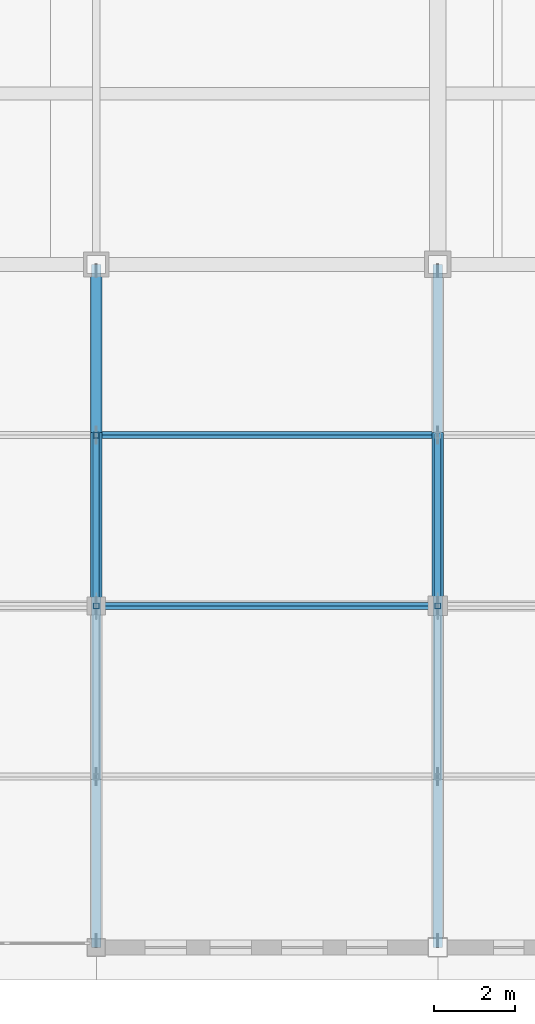
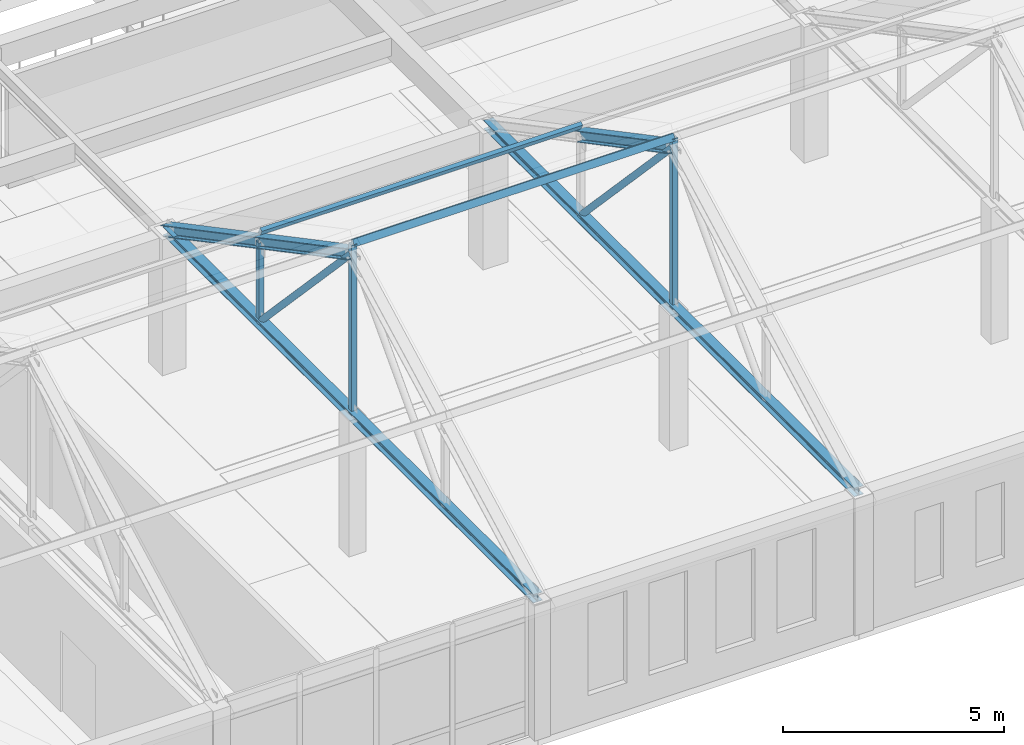
# One storey, part 9 of 47: 12 members.
"""IFC4 building model written with IfcOpenShell, lengths in metres."""

from ifc_helpers import new_model, si_unit, direction, frame, origin, origin_2d, place, context, subcontext, project, spatial, hollow_rectangle, hollow_circle, i_section, extrude, material, material_profile, profile_set, type_object, element, save


model = new_model("IFC4")

# Units and contexts
model_context = context("Model", 3, precision=1e-05, world=origin(), true_north=direction((0.0, 1.0)))
body_context = subcontext(model_context, "Body", "Model", "MODEL_VIEW")
ifc_project = project(units=[si_unit("LENGTHUNIT", "METRE"), si_unit("AREAUNIT", "SQUARE_METRE"), si_unit("VOLUMEUNIT", "CUBIC_METRE"), si_unit("PLANEANGLEUNIT", "RADIAN"), si_unit("MASSUNIT", "GRAM", prefix="KILO")], contexts=[model_context])

# Site, building, storey
site_placement = place(None, origin())
site = spatial("IfcSite", under=ifc_project, at=site_placement, CompositionType="ELEMENT")
building_placement = place(site_placement, origin())
building = spatial("IfcBuilding", under=site, at=building_placement, Name="Kveldsbrygga Polytechnic", CompositionType="ELEMENT")
storey_placement = place(building_placement, frame((0.0, 0.0, 13.93994140625)))
storey = spatial("IfcBuildingStorey", under=building, at=storey_placement, Name="L03", CompositionType="ELEMENT", Elevation=13.93994140625)

# Members
ifc_material = material(Name="Steel S355", Category="steel")
ifc_material_profile_1 = material_profile(ifc_material, hollow_circle(Radius=0.084228515625, WallThickness=0.010009765625, at=origin_2d()), Name="CHS 168.3x10.0")
ifc_profile_set_1 = profile_set([ifc_material_profile_1], Name="Steel S355")
member_type_1 = type_object("IfcMemberType", Name="BR-WIND-CHS168", PredefinedType="BRACE", material=ifc_profile_set_1)
for number, where, z_axis, x_axis, name in (
    (1, (142.800048828125, 8.39990234375, 8.22998046875), (0.0, 0.68640442101, -0.727220029165), (-1.0, 0.0, 0.0), "Truss Diagonal V4S4-T03-DG-3"),
    (2, (151.199951171875, 8.39990234375, 8.22998046875), (0.0, 0.68640442101, -0.727220029165), (-1.0, 0.0, 0.0), "Truss Diagonal V4S4-T04-DG-3"),
):
    element("IfcMember", number, at=place(storey_placement, frame(where, z_axis=z_axis, x_axis=x_axis)), inside=storey, type_object=member_type_1, Name=name, PredefinedType="BRACE", context=body_context, shape_type="SweptSolid", body=[
        extrude(hollow_circle(Radius=0.084228515625, WallThickness=0.010009765625, at=origin_2d()), origin(), (0.0, 0.0, 1.0), 6.119140625),
    ])
ifc_material_profile_2 = material_profile(ifc_material, hollow_rectangle(XDim=0.10009765625, YDim=0.179931640625, WallThickness=0.008056640625, at=origin_2d()), Name="RHS 180x100x8.0")
ifc_profile_set_2 = profile_set([ifc_material_profile_2], Name="Steel S355")
member_type_2 = type_object("IfcMemberType", Name="PRL-RHS180", PredefinedType="PURLIN", material=ifc_profile_set_2)
for number, where, z_axis, x_axis, name in (
    (3, (142.800048828125, 8.39990234375, 8.490234375), (1.0, 0.0, 0.0), (0.0, 0.883660254474, -0.468128779998), "Roof Purlin V4S4-PRL-3-2"),
    (4, (142.800048828125, 12.60009765625, 6.265380859375), (1.0, 0.0, 0.0), (0.0, 0.883660254474, 0.468128779998), "Roof Purlin V4S4-PRL-3-3"),
):
    element("IfcMember", number, at=place(storey_placement, frame(where, z_axis=z_axis, x_axis=x_axis)), inside=storey, type_object=member_type_2, Name=name, PredefinedType="PURLIN", context=body_context, shape_type="SweptSolid", body=[
        extrude(hollow_rectangle(XDim=0.10009765625, YDim=0.179931640625, WallThickness=0.008056640625, at=origin_2d()), origin(), (0.0, 0.0, 1.0), 8.39990234375),
    ])
ifc_material_profile_3 = material_profile(ifc_material, i_section(OverallWidth=0.239990234375, OverallDepth=0.239990234375, WebThickness=0.010009765625, FlangeThickness=0.01708984375, FilletRadius=0.02099609375, at=origin_2d()), Name="HEB 240")
ifc_profile_set_3 = profile_set([ifc_material_profile_3], Name="Steel S355")
member_type_3 = type_object("IfcMemberType", Name="TR-BOT-HEB240", PredefinedType="CHORD", material=ifc_profile_set_3)
for number, where, z_axis, x_axis, name in (
    (5, (142.800048828125, 0.0, 3.780029296875), (0.0, 1.0, 0.0), (-1.0, 0.0, 0.0), "Truss Bottom Chord V4S4-T03-BC-1"),
    (6, (151.199951171875, 0.0, 3.780029296875), (0.0, 1.0, 0.0), (-1.0, 0.0, 0.0), "Truss Bottom Chord V4S4-T04-BC-1"),
):
    element("IfcMember", number, at=place(storey_placement, frame(where, z_axis=z_axis, x_axis=x_axis)), inside=storey, type_object=member_type_3, Name=name, PredefinedType="CHORD", context=body_context, shape_type="SweptSolid", body=[
        extrude(i_section(OverallWidth=0.239990234375, OverallDepth=0.239990234375, WebThickness=0.010009765625, FlangeThickness=0.01708984375, FilletRadius=0.02099609375, at=origin_2d()), origin(), (0.0, 0.0, 1.0), 16.800048828125),
    ])
ifc_material_profile_4 = material_profile(ifc_material, hollow_rectangle(XDim=0.139892578125, YDim=0.139892578125, WallThickness=0.008056640625, at=origin_2d()), Name="SHS 140x140x8.0")
ifc_profile_set_4 = profile_set([ifc_material_profile_4], Name="Steel S355")
member_type_4 = type_object("IfcMemberType", Name="TR-POST-SHS140", PredefinedType="STRUT", material=ifc_profile_set_4)
member_1_placement = place(storey_placement, frame((142.800048828125, 8.39990234375, 3.780029296875), z_axis=(0.0, 0.0, 1.0), x_axis=(1.0, 0.0, 0.0)))
element("IfcMember", 7, at=member_1_placement, inside=storey, type_object=member_type_4, Name="Truss Vertical V4S4-T03-VT-2", PredefinedType="STRUT", context=body_context, shape_type="SweptSolid", body=[
    extrude(hollow_rectangle(XDim=0.139892578125, YDim=0.139892578125, WallThickness=0.008056640625, at=origin_2d()), origin(), (0.0, 0.0, 1.0), 4.710205078125),
])
member_2_placement = place(storey_placement, frame((142.800048828125, 12.60009765625, 3.780029296875), z_axis=(0.0, 0.0, 1.0), x_axis=(1.0, 0.0, 0.0)))
element("IfcMember", 8, at=member_2_placement, inside=storey, type_object=member_type_4, Name="Truss Vertical V4S4-T03-VT-3", PredefinedType="STRUT", context=body_context, shape_type="SweptSolid", body=[
    extrude(hollow_rectangle(XDim=0.139892578125, YDim=0.139892578125, WallThickness=0.008056640625, at=origin_2d()), origin(), (0.0, 0.0, 1.0), 2.22509765625),
])
member_3_placement = place(storey_placement, frame((151.199951171875, 8.39990234375, 3.780029296875), z_axis=(0.0, 0.0, 1.0), x_axis=(1.0, 0.0, 0.0)))
element("IfcMember", 9, at=member_3_placement, inside=storey, type_object=member_type_4, Name="Truss Vertical V4S4-T04-VT-2", PredefinedType="STRUT", context=body_context, shape_type="SweptSolid", body=[
    extrude(hollow_rectangle(XDim=0.139892578125, YDim=0.139892578125, WallThickness=0.008056640625, at=origin_2d()), origin(), (0.0, 0.0, 1.0), 4.710205078125),
])
ifc_material_profile_5 = material_profile(ifc_material, i_section(OverallWidth=0.280029296875, OverallDepth=0.280029296875, WebThickness=0.010498046875, FlangeThickness=0.01806640625, FilletRadius=0.02392578125, at=origin_2d()), Name="HEB 280")
ifc_profile_set_5 = profile_set([ifc_material_profile_5], Name="Steel S355")
member_type_5 = type_object("IfcMemberType", Name="TR-TOP-HEB280", PredefinedType="CHORD", material=ifc_profile_set_5)
member_4_placement = place(storey_placement, frame((142.800048828125, 8.39990234375, 8.22998046875), z_axis=(0.0, 0.883681693185, -0.468088309114), x_axis=(-1.0, 0.0, 0.0)))
element("IfcMember", 10, at=member_4_placement, inside=storey, type_object=member_type_5, Name="Truss Top Chord V4S4-T03-TC-3", PredefinedType="CHORD", context=body_context, shape_type="SweptSolid", body=[
    extrude(i_section(OverallWidth=0.280029296875, OverallDepth=0.280029296875, WebThickness=0.010498046875, FlangeThickness=0.01806640625, FilletRadius=0.02392578125, at=origin_2d()), origin(), (0.0, 0.0, 1.0), 4.753173828125),
])
member_5_placement = place(storey_placement, frame((142.800048828125, 12.60009765625, 6.005126953125), z_axis=(0.0, 0.883649189339, -0.468149666432), x_axis=(-1.0, 0.0, 0.0)))
element("IfcMember", 11, at=member_5_placement, inside=storey, type_object=member_type_5, Name="Truss Top Chord V4S4-T03-TC-4", PredefinedType="CHORD", context=body_context, shape_type="SweptSolid", body=[
    extrude(i_section(OverallWidth=0.280029296875, OverallDepth=0.280029296875, WebThickness=0.010498046875, FlangeThickness=0.01806640625, FilletRadius=0.02392578125, at=origin_2d()), origin(), (0.0, 0.0, 1.0), 4.7529296875),
])
member_6_placement = place(storey_placement, frame((151.199951171875, 8.39990234375, 8.22998046875), z_axis=(0.0, 0.883681693185, -0.468088309114), x_axis=(-1.0, 0.0, 0.0)))
element("IfcMember", 12, at=member_6_placement, inside=storey, type_object=member_type_5, Name="Truss Top Chord V4S4-T04-TC-3", PredefinedType="CHORD", context=body_context, shape_type="SweptSolid", body=[
    extrude(i_section(OverallWidth=0.280029296875, OverallDepth=0.280029296875, WebThickness=0.010498046875, FlangeThickness=0.01806640625, FilletRadius=0.02392578125, at=origin_2d()), origin(), (0.0, 0.0, 1.0), 4.753173828125),
])

save(model, "model.ifc")
